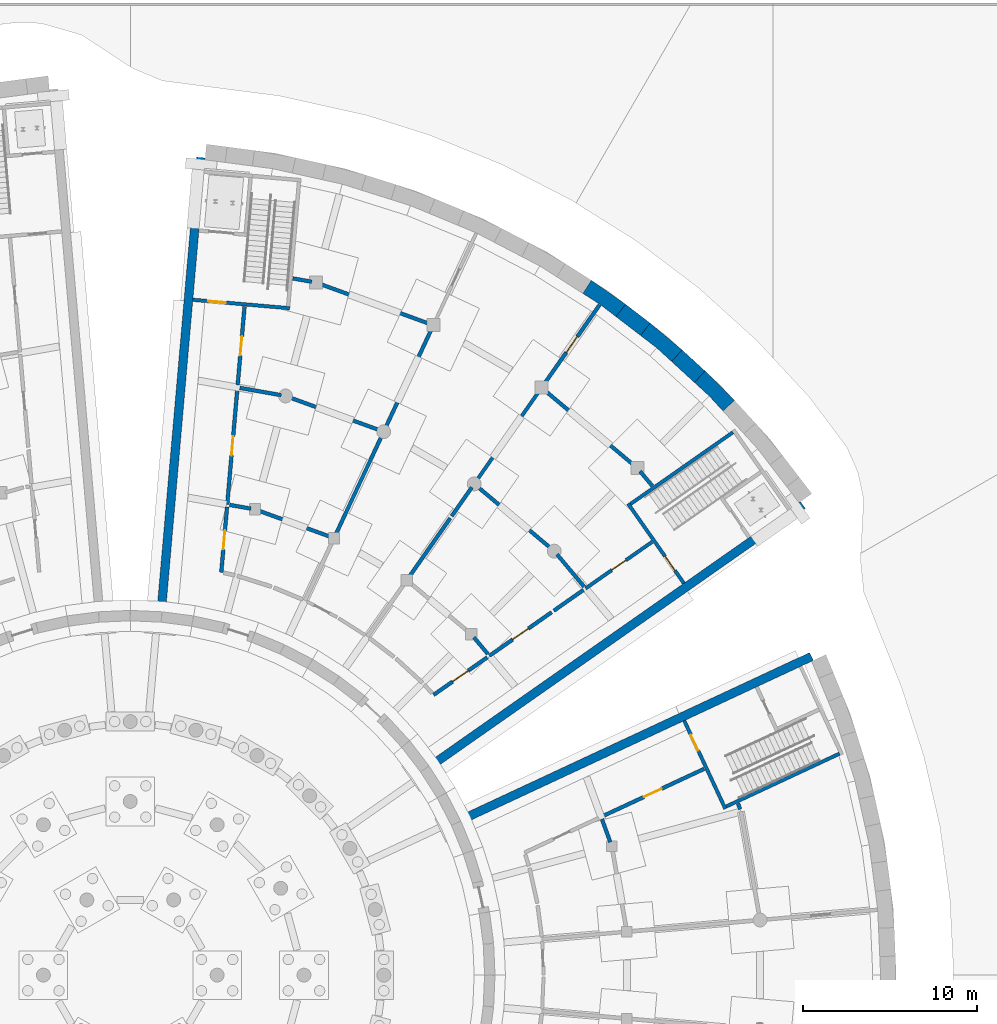
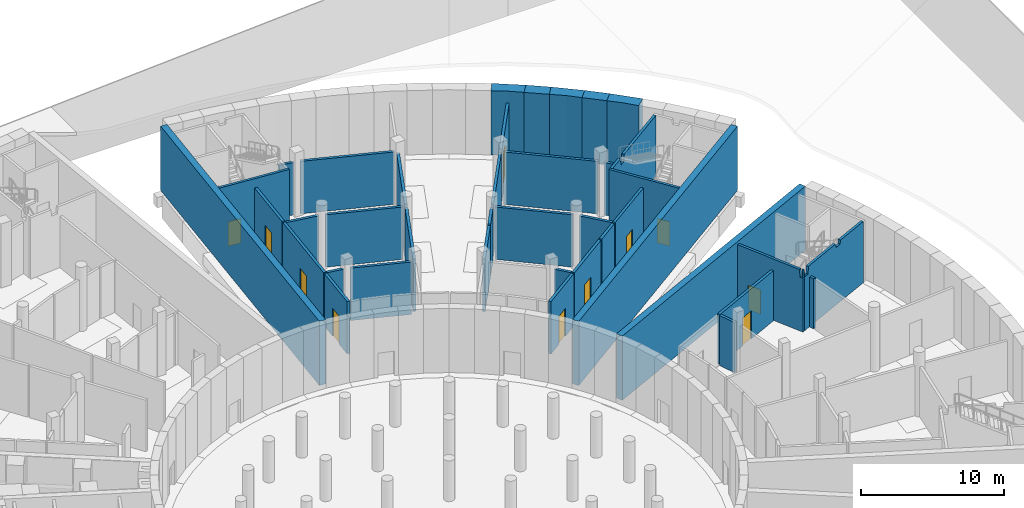
# One storey, part 47 of 65: 40 walls, 11 doors, 11 openings.
"""IFC4 building model written with IfcOpenShell, lengths in metres."""

from ifc_helpers import new_model, si_unit, direction, frame, frame_2d, origin, place, context, subcontext, project, spatial, polyline, rectangle, outline, extrude, material, layer, layer_set, type_object, element, fill, save


model = new_model("IFC4")

# Units and contexts
model_context = context("Model", 3, precision=1e-05, world=origin(), true_north=direction((0.0, 1.0)))
body_context = subcontext(model_context, "Body", "Model", "MODEL_VIEW")
ifc_project = project(units=[si_unit("LENGTHUNIT", "METRE"), si_unit("AREAUNIT", "SQUARE_METRE"), si_unit("VOLUMEUNIT", "CUBIC_METRE"), si_unit("PLANEANGLEUNIT", "RADIAN"), si_unit("MASSUNIT", "GRAM", prefix="KILO")], contexts=[model_context])

# Site, building, storey
site_placement = place(None, origin())
site = spatial("IfcSite", under=ifc_project, at=site_placement, CompositionType="ELEMENT")
building_placement = place(site_placement, origin())
building = spatial("IfcBuilding", under=site, at=building_placement, Name="Volute Hill Aquarium", CompositionType="ELEMENT")
storey_placement = place(building_placement, frame((0.0, 0.0, -5.5)))
storey = spatial("IfcBuildingStorey", under=building, at=storey_placement, Name="L00", CompositionType="ELEMENT", Elevation=-5.5)

# Wall, opening, door
ifc_material_1 = material(Name="Concrete C30/37", Category="concrete")
ifc_layer_1 = layer(ifc_material_1, 0.199951171875)
ifc_layer_set_1 = layer_set([ifc_layer_1], Name="Core wall 200 REI 60")
wall_type_1 = type_object("IfcWallType", Name="Core wall 200 REI 60", PredefinedType="SHEAR", material=ifc_layer_set_1)
wall_1_placement = place(storey_placement, frame((31.89599609375, 14.652587890625, 0.0), z_axis=(0.0, 0.0, 1.0), x_axis=(0.422632457081, -0.906301167505, 0.0)))
wall_1 = element("IfcWall", 1, at=wall_1_placement, inside=storey, type_object=wall_type_1, Name="wc/S4-B/L00/in", PredefinedType="SHEAR", context=body_context, shape_type="SweptSolid", body=[
    extrude(outline(polyline([(0.0, 0.0), (5.599853515625, 0.0), (5.60009765625, 5.25), (5.550048828125, 4.610107421875), (5.35009765625, 4.610107421875), (5.300048828125, 5.25), (0.0, 5.25), (0.0, 0.0)])), frame((0.0, 0.10009765625, 0.0), z_axis=(0.0, -1.0, 0.0), x_axis=(1.0, 0.0, 0.0)), (0.0, 0.0, 1.0), 0.199951171875),
])
opening_1_placement = place(wall_1_placement, frame((0.89990234375, 0.0, 0.0)))
opening_1 = element("IfcOpeningElement", 2, at=opening_1_placement, cuts=wall_1, Name="Opening D4.00.BS", PredefinedType="OPENING", context=body_context, shape_type="SweptSolid", body=[
    extrude(rectangle(XDim=1.0, YDim=2.10009765625, at=frame_2d((0.5, 1.050048828125))), frame((0.0, 0.10986328125, 0.0), z_axis=(0.0, -1.0, 0.0), x_axis=(1.0, 0.0, 0.0)), (0.0, 0.0, 1.0), 0.219970703125),
])
ifc_material_2 = material(Name="Timber, fire-rated", Category="wood")
door_type_1 = type_object("IfcDoorType", Name="Door 1000 x 2100 single EI1 30", OperationType="SINGLE_SWING_LEFT", PredefinedType="DOOR", material=ifc_material_2)
door_1_placement = place(opening_1_placement, origin())
door_1 = element("IfcDoor", 3, at=door_1_placement, inside=storey, type_object=door_type_1, Name="d/S4-B/L00/st", OperationType="SINGLE_SWING_RIGHT", OverallHeight=2.10009765625, OverallWidth=1.0, PredefinedType="DOOR", context=body_context, shape_type="SweptSolid", body=[
    extrude(rectangle(XDim=1.0, YDim=2.10009765625, at=frame_2d((0.5, 1.050048828125))), frame((0.0, 0.02490234375, 0.0), z_axis=(0.0, -1.0, 0.0), x_axis=(1.0, 0.0, 0.0)), (0.0, 0.0, 1.0), 0.050048828125),
])
fill(opening_1, door_1)

# Wall
wall_2_placement = place(storey_placement, frame((34.31103515625, 9.710205078125, 0.0), z_axis=(0.0, 0.0, 1.0), x_axis=(0.906300917592, 0.422632992999, 0.0)))
element("IfcWall", 4, at=wall_2_placement, inside=storey, type_object=wall_type_1, Name="wc/S4-B/L00/side", PredefinedType="SHEAR", context=body_context, shape_type="SweptSolid", body=[
    extrude(outline(polyline([(0.0, 0.0), (7.199951171875, 0.0), (7.199951171875, 5.25), (4.392578125, 5.25), (4.342529296875, 4.909912109375), (3.842529296875, 4.909912109375), (3.79248046875, 5.25), (0.477294921875, 5.25), (0.42724609375, 4.610107421875), (0.050048828125, 4.610107421875), (0.0, 5.25), (0.0, 0.0)])), frame((0.0, 0.10009765625, 0.0), z_axis=(0.0, -1.0, 0.0), x_axis=(1.0, 0.0, 0.0)), (0.0, 0.0, 1.0), 0.199951171875),
])

# Wall, opening, door
wall_3_placement = place(storey_placement, frame((31.873291015625, 22.56201171875, 0.0), z_axis=(0.0, 0.0, 1.0), x_axis=(-0.573599855614, 0.819135645446, 0.0)))
wall_3 = element("IfcWall", 5, at=wall_3_placement, inside=storey, type_object=wall_type_1, Name="wc/S5-A/L00/in", PredefinedType="SHEAR", context=body_context, shape_type="SweptSolid", body=[
    extrude(rectangle(XDim=5.60009765625, YDim=0.199951171875, at=frame_2d((2.800048828125, 0.0))), origin(), (0.0, 0.0, 1.0), 5.25),
])
opening_2_placement = place(wall_3_placement, frame((0.89990234375, 0.0, 0.0)))
opening_2 = element("IfcOpeningElement", 6, at=opening_2_placement, cuts=wall_3, Name="Opening D5.00.AS", PredefinedType="OPENING", context=body_context, shape_type="SweptSolid", body=[
    extrude(rectangle(XDim=1.0, YDim=2.10009765625, at=frame_2d((0.5, 1.050048828125))), frame((0.0, 0.10986328125, 0.0), z_axis=(0.0, -1.0, 0.0), x_axis=(1.0, 0.0, 0.0)), (0.0, 0.0, 1.0), 0.219970703125),
])
door_2_placement = place(opening_2_placement, origin())
door_2 = element("IfcDoor", 7, at=door_2_placement, inside=storey, type_object=door_type_1, Name="d/S5-A/L00/st", OperationType="SINGLE_SWING_RIGHT", OverallHeight=2.10009765625, OverallWidth=1.0, PredefinedType="DOOR", context=body_context, shape_type="SweptSolid", body=[
    extrude(rectangle(XDim=1.0, YDim=2.10009765625, at=frame_2d((0.5, 1.050048828125))), frame((0.0, 0.02490234375, 0.0), z_axis=(0.0, -1.0, 0.0), x_axis=(1.0, 0.0, 0.0)), (0.0, 0.0, 1.0), 0.050048828125),
])
fill(opening_2, door_2)

# Wall
wall_4_placement = place(storey_placement, frame((28.80029296875, 27.124755859375, 0.0), z_axis=(0.0, 0.0, 1.0), x_axis=(0.819161821637, 0.573562472597, 0.0)))
element("IfcWall", 8, at=wall_4_placement, inside=storey, type_object=wall_type_1, Name="wc/S5-A/L00/side", PredefinedType="SHEAR", context=body_context, shape_type="SweptSolid", body=[
    extrude(outline(polyline([(0.0, 0.0), (7.199951171875, 0.0), (7.199951171875, 5.25), (1.93017578125, 5.25), (1.880126953125, 4.659912109375), (1.380126953125, 4.659912109375), (1.330078125, 5.25), (0.0, 5.25), (0.0, 0.0)])), frame((0.0, 0.10009765625, 0.0), z_axis=(0.0, -1.0, 0.0), x_axis=(1.0, 0.0, 0.0)), (0.0, 0.0, 1.0), 0.199951171875),
])

# Wall, opening, door
wall_5_placement = place(storey_placement, frame((3.602783203125, 38.884033203125, 0.0), z_axis=(0.0, 0.0, 1.0), x_axis=(0.996195137027, -0.087150725554, 0.0)))
wall_5 = element("IfcWall", 9, at=wall_5_placement, inside=storey, type_object=wall_type_1, Name="wc/S5-B/L00/in", PredefinedType="SHEAR", context=body_context, shape_type="SweptSolid", body=[
    extrude(rectangle(XDim=5.599853515625, YDim=0.199951171875, at=frame_2d((2.7998046875, 0.0))), origin(), (0.0, 0.0, 1.0), 5.25),
])
opening_3_placement = place(wall_5_placement, frame((0.89990234375, 0.0, 0.0)))
opening_3 = element("IfcOpeningElement", 10, at=opening_3_placement, cuts=wall_5, Name="Opening D5.00.BS", PredefinedType="OPENING", context=body_context, shape_type="SweptSolid", body=[
    extrude(rectangle(XDim=1.0, YDim=2.10009765625, at=frame_2d((0.5, 1.050048828125))), frame((0.0, 0.10986328125, 0.0), z_axis=(0.0, -1.0, 0.0), x_axis=(1.0, 0.0, 0.0)), (0.0, 0.0, 1.0), 0.219970703125),
])
door_3_placement = place(opening_3_placement, origin())
door_3 = element("IfcDoor", 11, at=door_3_placement, inside=storey, type_object=door_type_1, Name="d/S5-B/L00/st", OperationType="SINGLE_SWING_RIGHT", OverallHeight=2.10009765625, OverallWidth=1.0, PredefinedType="DOOR", context=body_context, shape_type="SweptSolid", body=[
    extrude(rectangle(XDim=1.0, YDim=2.10009765625, at=frame_2d((0.5, 1.050048828125))), frame((0.0, 0.02490234375, 0.0), z_axis=(0.0, -1.0, 0.0), x_axis=(1.0, 0.0, 0.0)), (0.0, 0.0, 1.0), 0.050048828125),
])
fill(opening_3, door_3)

# Walls
ifc_material_3 = material(Name="Concrete C35/45", Category="concrete")
ifc_layer_2 = layer(ifc_material_3, 0.5)
ifc_layer_set_2 = layer_set([ifc_layer_2], Name="End wall 500 C35/45")
wall_type_2 = type_object("IfcWallType", Name="End wall 500 C35/45", PredefinedType="SHEAR", material=ifc_layer_set_2)
wall_6_placement = place(storey_placement, frame((18.920654296875, 8.8779296875, 0.0), z_axis=(0.0, 0.0, 1.0), x_axis=(0.906305061028, 0.422624107637, 0.0)))
element("IfcWall", 12, at=wall_6_placement, inside=storey, type_object=wall_type_2, Name="sw/S4/L00/endB", PredefinedType="SHEAR", context=body_context, shape_type="SweptSolid", body=[
    extrude(rectangle(XDim=22.400146484375, YDim=0.5, at=frame_2d((11.2001953125, 0.0))), origin(), (0.0, 0.0, 1.0), 5.5),
])
wall_7_placement = place(storey_placement, frame((17.14892578125, 11.94677734375, 0.0), z_axis=(0.0, 0.0, 1.0), x_axis=(0.819152256121, 0.573576133823, 0.0)))
element("IfcWall", 13, at=wall_7_placement, inside=storey, type_object=wall_type_2, Name="sw/S5/L00/endA", PredefinedType="SHEAR", context=body_context, shape_type="SweptSolid", body=[
    extrude(rectangle(XDim=26.35009765625, YDim=0.5, at=frame_2d((13.175048828125, 0.0))), origin(), (0.0, 0.0, 1.0), 5.5),
])
wall_8_placement = place(storey_placement, frame((1.771728515625, 20.82470703125, 0.0), z_axis=(0.0, 0.0, 1.0), x_axis=(0.087157755473, 0.996194521999, 0.0)))
element("IfcWall", 14, at=wall_8_placement, inside=storey, type_object=wall_type_2, Name="sw/S5/L00/endB", PredefinedType="SHEAR", context=body_context, shape_type="SweptSolid", body=[
    extrude(rectangle(XDim=26.350341796875, YDim=0.5, at=frame_2d((13.17529296875, 0.0))), origin(), (0.0, 0.0, 1.0), 5.5),
])
ifc_material_4 = material(Name="Masonry blockwork", Category="masonry")
ifc_layer_3 = layer(ifc_material_4, 0.199951171875)
ifc_layer_set_3 = layer_set([ifc_layer_3], Name="Fire partition 200 EI 60")
wall_type_3 = type_object("IfcWallType", Name="Fire partition 200 EI 60", PredefinedType="PARTITIONING", material=ifc_layer_set_3)
wall_9_placement = place(storey_placement, frame((23.5439453125, 33.624267578125, 0.0), z_axis=(0.0, 0.0, 1.0), x_axis=(-0.573574477874, -0.819153415626, 0.0)))
element("IfcWall", 15, at=wall_9_placement, inside=storey, type_object=wall_type_3, Name="pw/S5/L00/006", PredefinedType="PARTITIONING", context=body_context, shape_type="SweptSolid", body=[
    extrude(rectangle(XDim=6.282958984375, YDim=0.199951171875, at=frame_2d((3.1416015625, 0.0))), origin(), (0.0, 0.0, 1.0), 4.489990234375),
])

# Wall, opening, door
wall_10_placement = place(storey_placement, frame((26.21630859375, 22.263427734375, 0.0), z_axis=(0.0, 0.0, 1.0), x_axis=(0.819163219181, 0.57356047662, 0.0)))
wall_10 = element("IfcWall", 16, at=wall_10_placement, inside=storey, type_object=wall_type_3, Name="pw/S5/L00/012", PredefinedType="PARTITIONING", context=body_context, shape_type="SweptSolid", body=[
    extrude(rectangle(XDim=4.675048828125, YDim=0.199951171875, at=frame_2d((2.33740234375, 0.0))), origin(), (0.0, 0.0, 1.0), 4.489990234375),
])
opening_4_placement = place(wall_10_placement, frame((1.83740234375, 0.0, 0.0)))
opening_4 = element("IfcOpeningElement", 17, at=opening_4_placement, cuts=wall_10, Name="Opening D5.00.04", PredefinedType="OPENING", context=body_context, shape_type="SweptSolid", body=[
    extrude(rectangle(XDim=1.0, YDim=2.10009765625, at=frame_2d((0.5, 1.050048828125))), frame((0.0, 0.10986328125, 0.0), z_axis=(0.0, -1.0, 0.0), x_axis=(1.0, 0.0, 0.0)), (0.0, 0.0, 1.0), 0.219970703125),
])
door_4_placement = place(opening_4_placement, origin())
door_4 = element("IfcDoor", 18, at=door_4_placement, inside=storey, type_object=door_type_1, Name="d/S5/L00/04", OperationType="SINGLE_SWING_RIGHT", OverallHeight=2.10009765625, OverallWidth=1.0, PredefinedType="DOOR", context=body_context, shape_type="SweptSolid", body=[
    extrude(rectangle(XDim=1.0, YDim=2.10009765625, at=frame_2d((0.5, 1.050048828125))), frame((0.0, 0.02490234375, 0.0), z_axis=(0.0, -1.0, 0.0), x_axis=(1.0, 0.0, 0.0)), (0.0, 0.0, 1.0), 0.050048828125),
])
fill(opening_4, door_4)

# Walls
ifc_material_5 = material(Name="Precast concrete C40/50", Category="concrete")
ifc_layer_4 = layer(ifc_material_5, 0.89990234375)
ifc_layer_set_4 = layer_set([ifc_layer_4], Name="Outer pier precast concrete C40/50 900")
wall_type_4 = type_object("IfcWallType", Name="Outer pier precast concrete C40/50 900", PredefinedType="NOTDEFINED", material=ifc_layer_set_4)
wall_11_placement = place(storey_placement, origin())
element("IfcWall", 19, at=wall_11_placement, inside=storey, type_object=wall_type_4, Name="Outer pier OWP S5 L00 3", PredefinedType="NOTDEFINED", context=body_context, shape_type="SweptSolid", body=[
    extrude(outline(polyline([(34.1259765625, 32.481689453125), (34.78955078125, 33.08984375), (33.08984375, 34.78955078125), (32.481689453125, 34.1259765625), (33.33984375, 33.33984375), (34.1259765625, 32.481689453125)])), origin(), (0.0, 0.0, 1.0), 5.5),
])
wall_12_placement = place(storey_placement, origin())
element("IfcWall", 20, at=wall_12_placement, inside=storey, type_object=wall_type_4, Name="Outer pier OWP S5 L00 4", PredefinedType="NOTDEFINED", context=body_context, shape_type="SweptSolid", body=[
    extrude(outline(polyline([(31.165283203125, 35.33251953125), (31.773193359375, 35.99609375), (29.931640625, 37.541259765625), (29.3837890625, 36.8271484375), (30.30712890625, 36.11865234375), (31.165283203125, 35.33251953125)])), origin(), (0.0, 0.0, 1.0), 5.5),
])
wall_13_placement = place(storey_placement, origin())
element("IfcWall", 21, at=wall_13_placement, inside=storey, type_object=wall_type_4, Name="Outer pier OWP S5 L00 5", PredefinedType="NOTDEFINED", context=body_context, shape_type="SweptSolid", body=[
    extrude(outline(polyline([(27.96728515625, 37.9140625), (28.51513671875, 38.628173828125), (26.5458984375, 40.007080078125), (26.062255859375, 39.248046875), (27.0439453125, 38.622802734375), (27.96728515625, 37.9140625)])), origin(), (0.0, 0.0, 1.0), 5.5),
])

# Wall, opening, door
ifc_material_6 = material(Name="Masonry blockwork", Category="masonry")
ifc_layer_5 = layer(ifc_material_6, 0.215087890625)
ifc_layer_set_5 = layer_set([ifc_layer_5], Name="Plant room wall 215 EI 60")
wall_type_5 = type_object("IfcWallType", Name="Plant room wall 215 EI 60", PredefinedType="PARTITIONING", material=ifc_layer_set_5)
wall_14_placement = place(storey_placement, frame((33.0458984375, 11.87890625, 0.0), z_axis=(0.0, 0.0, 1.0), x_axis=(-0.906297375057, -0.422640589585, 0.0)))
wall_14 = element("IfcWall", 22, at=wall_14_placement, inside=storey, type_object=wall_type_5, Name="pw/S4/L00/003", PredefinedType="PARTITIONING", context=body_context, shape_type="SweptSolid", body=[
    extrude(rectangle(XDim=6.550048828125, YDim=0.215087890625, at=frame_2d((3.27490234375, 0.0))), origin(), (0.0, 0.0, 1.0), 4.2900390625),
])
opening_5_placement = place(wall_14_placement, frame((2.72509765625, 0.0, 0.0)))
opening_5 = element("IfcOpeningElement", 23, at=opening_5_placement, cuts=wall_14, Name="Opening D4.00.05", PredefinedType="OPENING", context=body_context, shape_type="SweptSolid", body=[
    extrude(rectangle(XDim=1.10009765625, YDim=2.39990234375, at=frame_2d((0.550048828125, 1.199951171875))), frame((0.0, 0.117431640625, 0.0), z_axis=(0.0, -1.0, 0.0), x_axis=(1.0, 0.0, 0.0)), (0.0, 0.0, 1.0), 0.235107421875),
])
ifc_material_7 = material(Name="Steel, fire-rated", Category="steel")
door_type_2 = type_object("IfcDoorType", Name="Door 1100 x 2400 plant room EI1 30", OperationType="SINGLE_SWING_LEFT", PredefinedType="DOOR", material=ifc_material_7)
door_5_placement = place(opening_5_placement, origin())
door_5 = element("IfcDoor", 24, at=door_5_placement, inside=storey, type_object=door_type_2, Name="d/S4/L00/05", OperationType="SINGLE_SWING_LEFT", OverallHeight=2.39990234375, OverallWidth=1.10009765625, PredefinedType="DOOR", context=body_context, shape_type="SweptSolid", body=[
    extrude(rectangle(XDim=1.10009765625, YDim=2.39990234375, at=frame_2d((0.550048828125, 1.199951171875))), frame((0.0, 0.02490234375, 0.0), z_axis=(0.0, -1.0, 0.0), x_axis=(1.0, 0.0, 0.0)), (0.0, 0.0, 1.0), 0.050048828125),
])
fill(opening_5, door_5)

# Walls
wall_15_placement = place(storey_placement, frame((27.15673828125, 8.9814453125, 0.0), z_axis=(0.0, 0.0, 1.0), x_axis=(0.342020437038, -0.939692513883, 0.0)))
element("IfcWall", 25, at=wall_15_placement, inside=storey, type_object=wall_type_5, Name="pw/S4/L00/022", PredefinedType="PARTITIONING", context=body_context, shape_type="SweptSolid", body=[
    extrude(rectangle(XDim=1.413330078125, YDim=0.215087890625, at=frame_2d((0.70654296875, 0.0))), origin(), (0.0, 0.0, 1.0), 4.2900390625),
])
wall_16_placement = place(storey_placement, frame((34.9912109375, 9.884033203125, 0.0), z_axis=(0.0, 0.0, 1.0), x_axis=(0.342294882289, -0.939592578493, 0.0)))
element("IfcWall", 26, at=wall_16_placement, inside=storey, type_object=wall_type_5, Name="pw/S4/L00/025", PredefinedType="PARTITIONING", context=body_context, shape_type="SweptSolid", body=[
    extrude(rectangle(XDim=0.355224609375, YDim=0.215087890625, at=frame_2d((0.177734375, 0.0))), origin(), (0.0, 0.0, 1.0), 4.2900390625),
])

# Wall, opening, door
wall_17_placement = place(storey_placement, frame((6.17236328125, 33.835693359375, 0.0), z_axis=(0.0, 0.0, 1.0), x_axis=(-0.087153066589, -0.996194932222, 0.0)))
wall_17 = element("IfcWall", 27, at=wall_17_placement, inside=storey, type_object=wall_type_5, Name="pw/S5/L00/001", PredefinedType="PARTITIONING", context=body_context, shape_type="SweptSolid", body=[
    extrude(rectangle(XDim=6.76220703125, YDim=0.215087890625, at=frame_2d((3.381103515625, 0.0))), origin(), (0.0, 0.0, 1.0), 4.489990234375),
])
opening_6_placement = place(wall_17_placement, frame((2.831298828125, 0.0, 0.0)))
opening_6 = element("IfcOpeningElement", 28, at=opening_6_placement, cuts=wall_17, Name="Opening D5.00.06", PredefinedType="OPENING", context=body_context, shape_type="SweptSolid", body=[
    extrude(rectangle(XDim=1.10009765625, YDim=2.39990234375, at=frame_2d((0.550048828125, 1.199951171875))), frame((0.0, 0.117431640625, 0.0), z_axis=(0.0, -1.0, 0.0), x_axis=(1.0, 0.0, 0.0)), (0.0, 0.0, 1.0), 0.235107421875),
])
door_6_placement = place(opening_6_placement, origin())
door_6 = element("IfcDoor", 29, at=door_6_placement, inside=storey, type_object=door_type_2, Name="d/S5/L00/06", OperationType="SINGLE_SWING_RIGHT", OverallHeight=2.39990234375, OverallWidth=1.10009765625, PredefinedType="DOOR", context=body_context, shape_type="SweptSolid", body=[
    extrude(rectangle(XDim=1.10009765625, YDim=2.39990234375, at=frame_2d((0.550048828125, 1.199951171875))), frame((0.0, 0.02490234375, 0.0), z_axis=(0.0, -1.0, 0.0), x_axis=(1.0, 0.0, 0.0)), (0.0, 0.0, 1.0), 0.050048828125),
])
fill(opening_6, door_6)

# Walls
for number, where, z_axis, x_axis, name in (
    (30, (10.911376953125, 39.798583984375, 0.0), (0.0, 0.0, 1.0), (0.939697881893, -0.342005688208, 0.0), "pw/S5/L00/002"),
    (31, (23.865234375, 33.66650390625, 0.0), (0.0, 0.0, 1.0), (0.766057023057, -0.642772617202, 0.0), "pw/S5/L00/003"),
):
    element("IfcWall", number, at=place(storey_placement, frame(where, z_axis=z_axis, x_axis=x_axis)), inside=storey, type_object=wall_type_5, Name=name, PredefinedType="PARTITIONING", context=body_context, shape_type="SweptSolid", body=[
        extrude(rectangle(XDim=6.71728515625, YDim=0.215087890625, at=frame_2d((3.358642578125, 0.0))), origin(), (0.0, 0.0, 1.0), 4.489990234375),
    ])
wall_18_placement = place(storey_placement, frame((14.692138671875, 31.507568359375, 0.0), z_axis=(0.0, 0.0, 1.0), x_axis=(0.422645077375, 0.906295282218, 0.0)))
element("IfcWall", 32, at=wall_18_placement, inside=storey, type_object=wall_type_5, Name="pw/S5/L00/004", PredefinedType="PARTITIONING", context=body_context, shape_type="SweptSolid", body=[
    extrude(rectangle(XDim=6.283203125, YDim=0.215087890625, at=frame_2d((3.1416015625, 0.0))), origin(), (0.0, 0.0, 1.0), 4.489990234375),
])
wall_19_placement = place(storey_placement, frame((11.834228515625, 25.378662109375, 0.0), z_axis=(0.0, 0.0, 1.0), x_axis=(0.42261316076, 0.906310165646, 0.0)))
element("IfcWall", 33, at=wall_19_placement, inside=storey, type_object=wall_type_5, Name="pw/S5/L00/005", PredefinedType="PARTITIONING", context=body_context, shape_type="SweptSolid", body=[
    extrude(rectangle(XDim=6.282958984375, YDim=0.215087890625, at=frame_2d((3.1416015625, 0.0))), origin(), (0.0, 0.0, 1.0), 4.489990234375),
])

# Wall, opening, door
wall_20_placement = place(storey_placement, frame((23.819091796875, 34.01708984375, 0.0), z_axis=(0.0, 0.0, 1.0), x_axis=(0.573564881926, 0.819160134663, 0.0)))
wall_20 = element("IfcWall", 34, at=wall_20_placement, inside=storey, type_object=wall_type_5, Name="pw/S5/L00/008", PredefinedType="PARTITIONING", context=body_context, shape_type="SweptSolid", body=[
    extrude(rectangle(XDim=5.5927734375, YDim=0.215087890625, at=frame_2d((2.79638671875, 0.0))), origin(), (0.0, 0.0, 1.0), 4.489990234375),
])
opening_7_placement = place(wall_20_placement, frame((2.246337890625, 0.0, 0.0)))
opening_7 = element("IfcOpeningElement", 35, at=opening_7_placement, cuts=wall_20, Name="Opening D5.00.08", PredefinedType="OPENING", context=body_context, shape_type="SweptSolid", body=[
    extrude(rectangle(XDim=1.10009765625, YDim=2.39990234375, at=frame_2d((0.550048828125, 1.199951171875))), frame((0.0, 0.117431640625, 0.0), z_axis=(0.0, -1.0, 0.0), x_axis=(1.0, 0.0, 0.0)), (0.0, 0.0, 1.0), 0.235107421875),
])
door_7_placement = place(opening_7_placement, origin())
door_7 = element("IfcDoor", 36, at=door_7_placement, inside=storey, type_object=door_type_2, Name="d/S5/L00/08", OperationType="SINGLE_SWING_RIGHT", OverallHeight=2.39990234375, OverallWidth=1.10009765625, PredefinedType="DOOR", context=body_context, shape_type="SweptSolid", body=[
    extrude(rectangle(XDim=1.10009765625, YDim=2.39990234375, at=frame_2d((0.550048828125, 1.199951171875))), frame((0.0, 0.02490234375, 0.0), z_axis=(0.0, -1.0, 0.0), x_axis=(1.0, 0.0, 0.0)), (0.0, 0.0, 1.0), 0.050048828125),
])
fill(opening_7, door_7)

# Walls
wall_21_placement = place(storey_placement, frame((9.160888671875, 33.2666015625, 0.0), z_axis=(0.0, 0.0, 1.0), x_axis=(0.939694284746, -0.342015571599, 0.0)))
element("IfcWall", 37, at=wall_21_placement, inside=storey, type_object=wall_type_5, Name="pw/S5/L00/009", PredefinedType="PARTITIONING", context=body_context, shape_type="SweptSolid", body=[
    extrude(rectangle(XDim=5.53857421875, YDim=0.215087890625, at=frame_2d((2.769287109375, 0.0))), origin(), (0.0, 0.0, 1.0), 4.489990234375),
])
wall_22_placement = place(storey_placement, frame((19.986572265625, 28.126953125, 0.0), z_axis=(0.0, 0.0, 1.0), x_axis=(0.766045187475, -0.642786722597, 0.0)))
element("IfcWall", 38, at=wall_22_placement, inside=storey, type_object=wall_type_5, Name="pw/S5/L00/010", PredefinedType="PARTITIONING", context=body_context, shape_type="SweptSolid", body=[
    extrude(rectangle(XDim=5.5380859375, YDim=0.215087890625, at=frame_2d((2.76904296875, 0.0))), origin(), (0.0, 0.0, 1.0), 4.489990234375),
])

# Wall, opening, door
wall_23_placement = place(storey_placement, frame((6.579833984375, 38.492919921875, 0.0), z_axis=(0.0, 0.0, 1.0), x_axis=(-0.087139507724, -0.996196118339, 0.0)))
wall_23 = element("IfcWall", 39, at=wall_23_placement, inside=storey, type_object=wall_type_5, Name="pw/S5/L00/011", PredefinedType="PARTITIONING", context=body_context, shape_type="SweptSolid", body=[
    extrude(rectangle(XDim=4.524658203125, YDim=0.215087890625, at=frame_2d((2.26220703125, 0.0))), origin(), (0.0, 0.0, 1.0), 4.489990234375),
])
opening_8_placement = place(wall_23_placement, frame((1.71240234375, 0.0, 0.0)))
opening_8 = element("IfcOpeningElement", 40, at=opening_8_placement, cuts=wall_23, Name="Opening D5.00.07", PredefinedType="OPENING", context=body_context, shape_type="SweptSolid", body=[
    extrude(rectangle(XDim=1.10009765625, YDim=2.39990234375, at=frame_2d((0.550048828125, 1.199951171875))), frame((0.0, 0.117431640625, 0.0), z_axis=(0.0, -1.0, 0.0), x_axis=(1.0, 0.0, 0.0)), (0.0, 0.0, 1.0), 0.235107421875),
])
door_8_placement = place(opening_8_placement, origin())
door_8 = element("IfcDoor", 41, at=door_8_placement, inside=storey, type_object=door_type_2, Name="d/S5/L00/07", OperationType="SINGLE_SWING_LEFT", OverallHeight=2.39990234375, OverallWidth=1.10009765625, PredefinedType="DOOR", context=body_context, shape_type="SweptSolid", body=[
    extrude(rectangle(XDim=1.10009765625, YDim=2.39990234375, at=frame_2d((0.550048828125, 1.199951171875))), frame((0.0, 0.02490234375, 0.0), z_axis=(0.0, -1.0, 0.0), x_axis=(1.0, 0.0, 0.0)), (0.0, 0.0, 1.0), 0.050048828125),
])
fill(opening_8, door_8)

wall_24_placement = place(storey_placement, frame((20.677001953125, 18.384765625, 0.0), z_axis=(0.0, 0.0, 1.0), x_axis=(0.819145467106, 0.573585829427, 0.0)))
wall_24 = element("IfcWall", 42, at=wall_24_placement, inside=storey, type_object=wall_type_5, Name="pw/S5/L00/013", PredefinedType="PARTITIONING", context=body_context, shape_type="SweptSolid", body=[
    extrude(rectangle(XDim=4.378662109375, YDim=0.215087890625, at=frame_2d((2.189453125, 0.0))), origin(), (0.0, 0.0, 1.0), 4.489990234375),
])
opening_9_placement = place(wall_24_placement, frame((1.639404296875, 0.0, 0.0)))
opening_9 = element("IfcOpeningElement", 43, at=opening_9_placement, cuts=wall_24, Name="Opening D5.00.03", PredefinedType="OPENING", context=body_context, shape_type="SweptSolid", body=[
    extrude(rectangle(XDim=1.10009765625, YDim=2.39990234375, at=frame_2d((0.550048828125, 1.199951171875))), frame((0.0, 0.117431640625, 0.0), z_axis=(0.0, -1.0, 0.0), x_axis=(1.0, 0.0, 0.0)), (0.0, 0.0, 1.0), 0.235107421875),
])
door_9_placement = place(opening_9_placement, origin())
door_9 = element("IfcDoor", 44, at=door_9_placement, inside=storey, type_object=door_type_2, Name="d/S5/L00/03", OperationType="SINGLE_SWING_LEFT", OverallHeight=2.39990234375, OverallWidth=1.10009765625, PredefinedType="DOOR", context=body_context, shape_type="SweptSolid", body=[
    extrude(rectangle(XDim=1.10009765625, YDim=2.39990234375, at=frame_2d((0.550048828125, 1.199951171875))), frame((0.0, 0.02490234375, 0.0), z_axis=(0.0, -1.0, 0.0), x_axis=(1.0, 0.0, 0.0)), (0.0, 0.0, 1.0), 0.050048828125),
])
fill(opening_9, door_9)

# Walls
wall_25_placement = place(storey_placement, frame((7.410888671875, 26.734619140625, 0.0), z_axis=(0.0, 0.0, 1.0), x_axis=(0.939682191011, -0.342048797538, 0.0)))
element("IfcWall", 45, at=wall_25_placement, inside=storey, type_object=wall_type_5, Name="pw/S5/L00/014", PredefinedType="PARTITIONING", context=body_context, shape_type="SweptSolid", body=[
    extrude(rectangle(XDim=4.359619140625, YDim=0.215087890625, at=frame_2d((2.1796875, 0.0))), origin(), (0.0, 0.0, 1.0), 4.489990234375),
])
wall_26_placement = place(storey_placement, frame((18.421142578125, 26.30810546875, 0.0), z_axis=(0.0, 0.0, 1.0), x_axis=(-0.573589781111, -0.819142700026, 0.0)))
element("IfcWall", 46, at=wall_26_placement, inside=storey, type_object=wall_type_5, Name="pw/S5/L00/016", PredefinedType="PARTITIONING", context=body_context, shape_type="SweptSolid", body=[
    extrude(rectangle(XDim=4.1142578125, YDim=0.215087890625, at=frame_2d((2.05712890625, 0.0))), origin(), (0.0, 0.0, 1.0), 4.489990234375),
])

# Wall, opening, door
wall_27_placement = place(storey_placement, frame((17.464599609375, 16.135498046875, 0.0), z_axis=(0.0, 0.0, 1.0), x_axis=(0.819186301259, 0.573527509218, 0.0)))
wall_27 = element("IfcWall", 47, at=wall_27_placement, inside=storey, type_object=wall_type_5, Name="pw/S5/L00/017", PredefinedType="PARTITIONING", context=body_context, shape_type="SweptSolid", body=[
    extrude(rectangle(XDim=3.771484375, YDim=0.215087890625, at=frame_2d((1.8857421875, 0.0))), origin(), (0.0, 0.0, 1.0), 4.489990234375),
])
opening_10_placement = place(wall_27_placement, frame((1.335693359375, 0.0, 0.0)))
opening_10 = element("IfcOpeningElement", 48, at=opening_10_placement, cuts=wall_27, Name="Opening D5.00.02", PredefinedType="OPENING", context=body_context, shape_type="SweptSolid", body=[
    extrude(rectangle(XDim=1.10009765625, YDim=2.39990234375, at=frame_2d((0.550048828125, 1.199951171875))), frame((0.0, 0.117431640625, 0.0), z_axis=(0.0, -1.0, 0.0), x_axis=(1.0, 0.0, 0.0)), (0.0, 0.0, 1.0), 0.235107421875),
])
door_10_placement = place(opening_10_placement, origin())
door_10 = element("IfcDoor", 49, at=door_10_placement, inside=storey, type_object=door_type_2, Name="d/S5/L00/02", OperationType="SINGLE_SWING_RIGHT", OverallHeight=2.39990234375, OverallWidth=1.10009765625, PredefinedType="DOOR", context=body_context, shape_type="SweptSolid", body=[
    extrude(rectangle(XDim=1.10009765625, YDim=2.39990234375, at=frame_2d((0.550048828125, 1.199951171875))), frame((0.0, 0.02490234375, 0.0), z_axis=(0.0, -1.0, 0.0), x_axis=(1.0, 0.0, 0.0)), (0.0, 0.0, 1.0), 0.050048828125),
])
fill(opening_10, door_10)

wall_28_placement = place(storey_placement, frame((5.570068359375, 26.94970703125, 0.0), z_axis=(0.0, 0.0, 1.0), x_axis=(-0.087196662223, -0.996191117255, 0.0)))
wall_28 = element("IfcWall", 50, at=wall_28_placement, inside=storey, type_object=wall_type_5, Name="pw/S5/L00/018", PredefinedType="PARTITIONING", context=body_context, shape_type="SweptSolid", body=[
    extrude(rectangle(XDim=3.771484375, YDim=0.215087890625, at=frame_2d((1.8857421875, 0.0))), origin(), (0.0, 0.0, 1.0), 4.489990234375),
])
opening_11_placement = place(wall_28_placement, frame((1.335693359375, 0.0, 0.0)))
opening_11 = element("IfcOpeningElement", 51, at=opening_11_placement, cuts=wall_28, Name="Opening D5.00.05", PredefinedType="OPENING", context=body_context, shape_type="SweptSolid", body=[
    extrude(rectangle(XDim=1.10009765625, YDim=2.39990234375, at=frame_2d((0.550048828125, 1.199951171875))), frame((0.0, 0.117431640625, 0.0), z_axis=(0.0, -1.0, 0.0), x_axis=(1.0, 0.0, 0.0)), (0.0, 0.0, 1.0), 0.235107421875),
])
door_11_placement = place(opening_11_placement, origin())
door_11 = element("IfcDoor", 52, at=door_11_placement, inside=storey, type_object=door_type_2, Name="d/S5/L00/05", OperationType="SINGLE_SWING_LEFT", OverallHeight=2.39990234375, OverallWidth=1.10009765625, PredefinedType="DOOR", context=body_context, shape_type="SweptSolid", body=[
    extrude(rectangle(XDim=1.10009765625, YDim=2.39990234375, at=frame_2d((0.550048828125, 1.199951171875))), frame((0.0, 0.02490234375, 0.0), z_axis=(0.0, -1.0, 0.0), x_axis=(1.0, 0.0, 0.0)), (0.0, 0.0, 1.0), 0.050048828125),
])
fill(opening_11, door_11)

# Walls
wall_29_placement = place(storey_placement, frame((6.30810546875, 33.81201171875, 0.0), z_axis=(0.0, 0.0, 1.0), x_axis=(0.984792666825, -0.173733713964, 0.0)))
element("IfcWall", 53, at=wall_29_placement, inside=storey, type_object=wall_type_5, Name="pw/S5/L00/021", PredefinedType="PARTITIONING", context=body_context, shape_type="SweptSolid", body=[
    extrude(rectangle(XDim=2.42822265625, YDim=0.215087890625, at=frame_2d((1.214111328125, 0.0))), origin(), (0.0, 0.0, 1.0), 4.489990234375),
])
wall_30_placement = place(storey_placement, frame((24.567138671875, 24.22900390625, 0.0), z_axis=(0.0, 0.0, 1.0), x_axis=(0.642773582777, -0.766056212875, 0.0)))
element("IfcWall", 54, at=wall_30_placement, inside=storey, type_object=wall_type_5, Name="pw/S5/L00/022", PredefinedType="PARTITIONING", context=body_context, shape_type="SweptSolid", body=[
    extrude(rectangle(XDim=2.435791015625, YDim=0.215087890625, at=frame_2d((1.2177734375, 0.0))), origin(), (0.0, 0.0, 1.0), 4.489990234375),
])
wall_31_placement = place(storey_placement, frame((24.38671875, 20.982177734375, 0.0), z_axis=(0.0, 0.0, 1.0), x_axis=(0.819105298708, 0.57364319017, 0.0)))
element("IfcWall", 55, at=wall_31_placement, inside=storey, type_object=wall_type_5, Name="pw/S5/L00/023", PredefinedType="PARTITIONING", context=body_context, shape_type="SweptSolid", body=[
    extrude(rectangle(XDim=2.083740234375, YDim=0.215087890625, at=frame_2d((1.0419921875, 0.0))), origin(), (0.0, 0.0, 1.0), 4.489990234375),
])
wall_32_placement = place(storey_placement, frame((19.665283203125, 28.084716796875, 0.0), z_axis=(0.0, 0.0, 1.0), x_axis=(-0.573697690177, -0.819067128071, 0.0)))
element("IfcWall", 56, at=wall_32_placement, inside=storey, type_object=wall_type_5, Name="pw/S5/L00/024", PredefinedType="PARTITIONING", context=body_context, shape_type="SweptSolid", body=[
    extrude(rectangle(XDim=2.018798828125, YDim=0.215087890625, at=frame_2d((1.00927734375, 0.0))), origin(), (0.0, 0.0, 1.0), 4.489990234375),
])
wall_33_placement = place(storey_placement, frame((5.718505859375, 27.0751953125, 0.0), z_axis=(0.0, 0.0, 1.0), x_axis=(0.984803219495, -0.173673886557, 0.0)))
element("IfcWall", 57, at=wall_33_placement, inside=storey, type_object=wall_type_5, Name="pw/S5/L00/031", PredefinedType="PARTITIONING", context=body_context, shape_type="SweptSolid", body=[
    extrude(rectangle(XDim=1.249755859375, YDim=0.215087890625, at=frame_2d((0.625, 0.0))), origin(), (0.0, 0.0, 1.0), 4.489990234375),
])
wall_34_placement = place(storey_placement, frame((19.785400390625, 19.447265625, 0.0), z_axis=(0.0, 0.0, 1.0), x_axis=(0.642660363915, -0.766151196993, 0.0)))
element("IfcWall", 58, at=wall_34_placement, inside=storey, type_object=wall_type_5, Name="pw/S5/L00/032", PredefinedType="PARTITIONING", context=body_context, shape_type="SweptSolid", body=[
    extrude(rectangle(XDim=1.24951171875, YDim=0.215087890625, at=frame_2d((0.624755859375, 0.0))), origin(), (0.0, 0.0, 1.0), 4.489990234375),
])
for number, where, z_axis, x_axis, name in (
    (59, (9.36181640625, 40.1142578125, 0.0), (0.0, 0.0, 1.0), (0.984796905189, -0.173709687495, 0.0), "pw/S5/L00/033"),
    (60, (29.348876953125, 29.010986328125, 0.0), (0.0, 0.0, 1.0), (0.642875879514, -0.765970367272, 0.0), "pw/S5/L00/034"),
):
    element("IfcWall", number, at=place(storey_placement, frame(where, z_axis=z_axis, x_axis=x_axis)), inside=storey, type_object=wall_type_5, Name=name, PredefinedType="PARTITIONING", context=body_context, shape_type="SweptSolid", body=[
        extrude(rectangle(XDim=1.104736328125, YDim=0.215087890625, at=frame_2d((0.55224609375, 0.0))), origin(), (0.0, 0.0, 1.0), 4.489990234375),
    ])
ifc_material_8 = material(Name="Concrete C40/50", Category="concrete")
ifc_layer_6 = layer(ifc_material_8, 0.89990234375)
ifc_layer_set_6 = layer_set([ifc_layer_6], Name="Plinth wall limestone clad 900")
wall_type_6 = type_object("IfcWallType", Name="Plinth wall limestone clad 900", PredefinedType="NOTDEFINED", material=ifc_layer_set_6)
for number, where, z_axis, x_axis, name in (
    (61, (31.46923828125, 35.664306640625, 0.0), (0.0, 0.0, 1.0), (0.737199540222, -0.675675097881, 0.0), "Plinth wall OWL S5 L00 3"),
    (62, (28.2412109375, 38.271240234375, 0.0), (0.0, 0.0, 1.0), (0.793289361119, -0.608844799218, 0.0), "Plinth wall OWL S5 L00 4"),
):
    element("IfcWall", number, at=place(storey_placement, frame(where, z_axis=z_axis, x_axis=x_axis)), inside=storey, type_object=wall_type_6, Name=name, PredefinedType="NOTDEFINED", context=body_context, shape_type="SweptSolid", body=[
        extrude(rectangle(XDim=1.78564453125, YDim=0.89990234375, at=frame_2d((0.892822265625, 0.0))), origin(), (0.0, 0.0, 1.0), 5.5),
    ])

save(model, "model.ifc")
